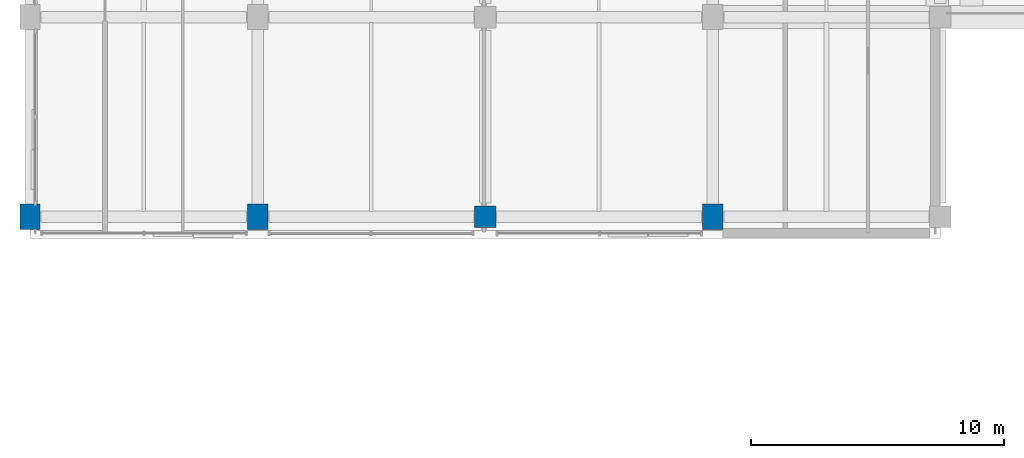
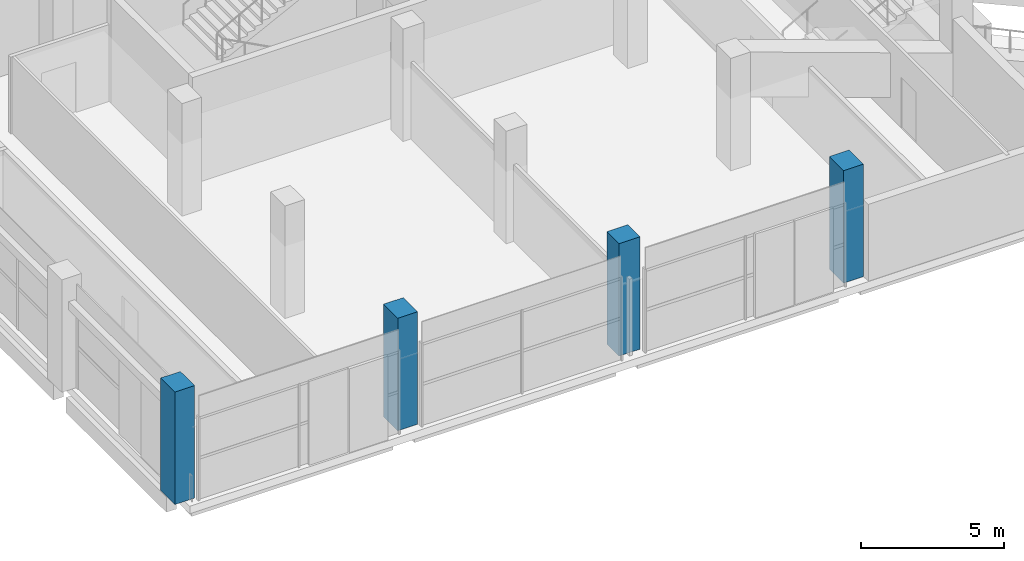
# One storey, part 1 of 66: 4 columns.
"""IFC4 building model written with IfcOpenShell, lengths in metres."""

from ifc_helpers import new_model, si_unit, direction, frame, origin, origin_2d, place, context, subcontext, project, spatial, rectangle, extrude, material, material_profile, profile_set, type_object, element, save


model = new_model("IFC4")

# Units and contexts
model_context = context("Model", 3, precision=1e-05, world=origin(), true_north=direction((0.0, 1.0)))
body_context = subcontext(model_context, "Body", "Model", "MODEL_VIEW")
ifc_project = project(units=[si_unit("LENGTHUNIT", "METRE"), si_unit("AREAUNIT", "SQUARE_METRE"), si_unit("VOLUMEUNIT", "CUBIC_METRE"), si_unit("PLANEANGLEUNIT", "RADIAN"), si_unit("MASSUNIT", "GRAM", prefix="KILO"), si_unit("THERMODYNAMICTEMPERATUREUNIT", "KELVIN"), si_unit("POWERUNIT", "WATT")], contexts=[model_context])

# Site, building, storey
site_placement = place(None, origin())
site = spatial("IfcSite", under=ifc_project, at=site_placement, CompositionType="ELEMENT")
building_placement = place(site_placement, origin())
building = spatial("IfcBuilding", under=site, at=building_placement, Name="Sindhuravela Promenade Stadium", CompositionType="ELEMENT")
storey_placement = place(building_placement, frame((0.0, 0.0, 19.199951171875)))
storey = spatial("IfcBuildingStorey", under=building, at=storey_placement, Name="L04", CompositionType="ELEMENT", Elevation=19.199951171875)

# Columns
ifc_material = material(Name="Concrete M40", Category="concrete")
ifc_material_profile_1 = material_profile(ifc_material, rectangle(XDim=0.800048828125, YDim=1.0, at=origin_2d()), Name="RC 800x1000")
ifc_profile_set_1 = profile_set([ifc_material_profile_1], Name="Concrete M40")
column_type_1 = type_object("IfcColumnType", Name="RC-CL-800x1000", PredefinedType="COLUMN", material=ifc_profile_set_1)
for number, where, z_axis, x_axis, name in (
    (1, (0.0, 37.10009765625, 0.0), (0.0, 0.0, 1.0), (1.0, 0.0, 0.0), "Column C10 WEST L04"),
    (2, (9.0, 37.10009765625, 0.0), (0.0, 0.0, 1.0), (1.0, 0.0, 0.0), "Column C10 WEST L04"),
    (3, (27.0, 37.10009765625, 0.0), (0.0, 0.0, 1.0), (1.0, 0.0, 0.0), "Column C10 WEST L04"),
):
    element("IfcColumn", number, at=place(storey_placement, frame(where, z_axis=z_axis, x_axis=x_axis)), inside=storey, type_object=column_type_1, Name=name, PredefinedType="COLUMN", context=body_context, shape_type="SweptSolid", body=[
        extrude(rectangle(XDim=0.800048828125, YDim=1.0, at=origin_2d()), origin(), (0.0, 0.0, 1.0), 4.800048828125),
    ])
ifc_material_profile_2 = material_profile(ifc_material, rectangle(XDim=0.85009765625, YDim=0.85009765625, at=origin_2d()), Name="RC 850x850")
ifc_profile_set_2 = profile_set([ifc_material_profile_2], Name="Concrete M40")
column_type_2 = type_object("IfcColumnType", Name="RC-CL-850x850", PredefinedType="COLUMN", material=ifc_profile_set_2)
column_placement = place(storey_placement, frame((18.0, 37.10009765625, 0.0), z_axis=(0.0, 0.0, 1.0), x_axis=(1.0, 0.0, 0.0)))
element("IfcColumn", 4, at=column_placement, inside=storey, type_object=column_type_2, Name="Column C09 WEST L04", PredefinedType="COLUMN", context=body_context, shape_type="SweptSolid", body=[
    extrude(rectangle(XDim=0.85009765625, YDim=0.85009765625, at=origin_2d()), origin(), (0.0, 0.0, 1.0), 4.800048828125),
])

save(model, "model.ifc")
